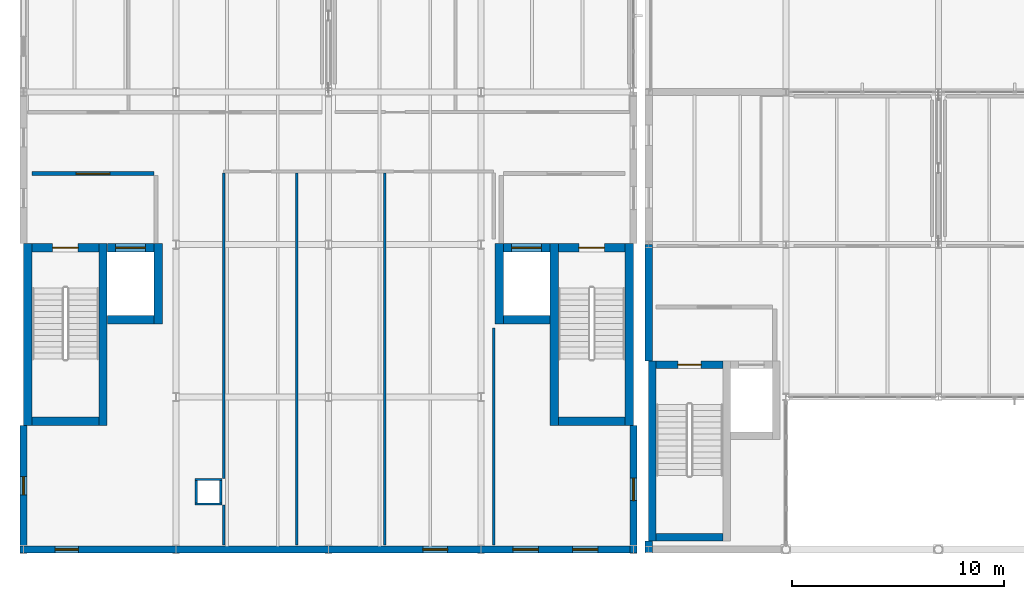
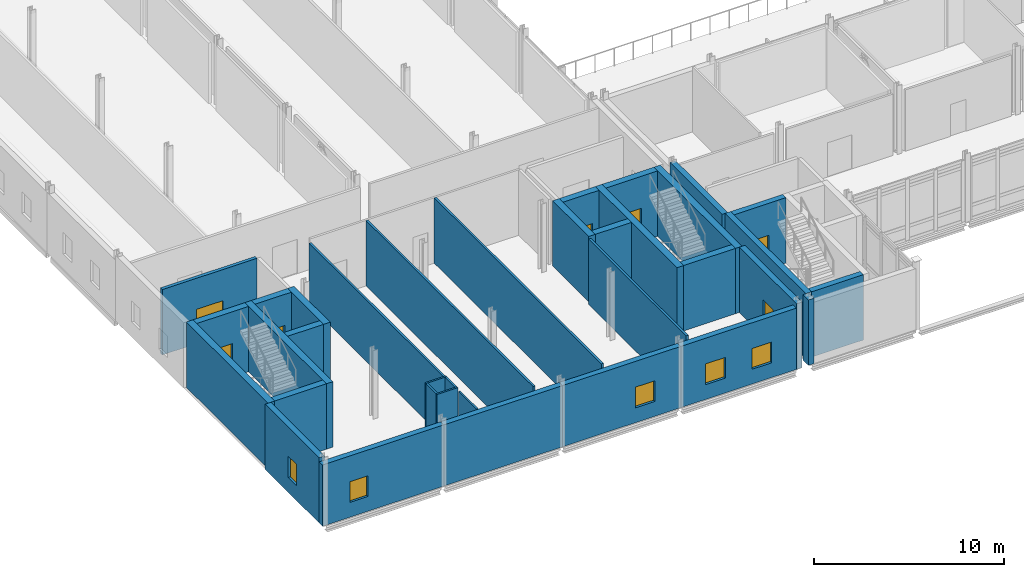
# One storey, part 35 of 53: 35 walls, 6 doors, 6 windows, 12 openings.
"""IFC4 building model written with IfcOpenShell, lengths in metres."""

from ifc_helpers import new_model, si_unit, direction, frame, frame_2d, origin, place, context, subcontext, project, spatial, rectangle, extrude, material, layer, layer_set, type_object, element, fill, save


model = new_model("IFC4")

# Units and contexts
model_context = context("Model", 3, precision=1e-05, world=origin(), true_north=direction((0.0, 1.0)))
body_context = subcontext(model_context, "Body", "Model", "MODEL_VIEW")
ifc_project = project(units=[si_unit("LENGTHUNIT", "METRE"), si_unit("AREAUNIT", "SQUARE_METRE"), si_unit("VOLUMEUNIT", "CUBIC_METRE"), si_unit("PLANEANGLEUNIT", "RADIAN"), si_unit("MASSUNIT", "GRAM", prefix="KILO")], contexts=[model_context])

# Site, building, storey
site_placement = place(None, origin())
site = spatial("IfcSite", under=ifc_project, at=site_placement, CompositionType="ELEMENT")
building_placement = place(site_placement, origin())
building = spatial("IfcBuilding", under=site, at=building_placement, Name="Zarrinpeak Specialist Clinic", CompositionType="ELEMENT")
storey_placement = place(building_placement, frame((0.0, 0.0, 14.0)))
storey = spatial("IfcBuildingStorey", under=building, at=storey_placement, Name="L03", CompositionType="ELEMENT", Elevation=14.0)

# Wall
ifc_material_1 = material(Name="Concrete C40/50", Category="concrete")
ifc_layer_1 = layer(ifc_material_1, 0.35009765625)
ifc_layer_set_1 = layer_set([ifc_layer_1], Name="Concrete C40/50")
wall_type_1 = type_object("IfcWallType", Name="WL-CR350", PredefinedType="SHEAR", material=ifc_layer_set_1)
wall_1_placement = place(storey_placement, frame((29.8701171875, 0.574951171875, 0.0), z_axis=(0.0, 0.0, 1.0), x_axis=(1.0, 0.0, 0.0)))
element("IfcWall", 1, at=wall_1_placement, inside=storey, type_object=wall_type_1, Name="L03 Core C03 Shear Wall STS", PredefinedType="SHEAR", context=body_context, shape_type="SweptSolid", body=[
    extrude(rectangle(XDim=3.14990234375, YDim=0.35009765625, at=frame_2d((1.574951171875, 0.0))), origin(), (0.0, 0.0, 1.0), 4.199951171875),
])

# Wall, opening, door
wall_2_placement = place(storey_placement, frame((29.8701171875, 8.72509765625, 0.0), z_axis=(0.0, 0.0, 1.0), x_axis=(1.0, 0.0, 0.0)))
wall_2 = element("IfcWall", 2, at=wall_2_placement, inside=storey, type_object=wall_type_1, Name="L03 Core C03 Shear Wall STN", PredefinedType="SHEAR", context=body_context, shape_type="SweptSolid", body=[
    extrude(rectangle(XDim=3.14990234375, YDim=0.35009765625, at=frame_2d((1.574951171875, 0.0))), origin(), (0.0, 0.0, 1.0), 4.199951171875),
])
opening_1_placement = place(wall_2_placement, frame((1.02490234375, 0.0, 0.0)))
opening_1 = element("IfcOpeningElement", 3, at=opening_1_placement, cuts=wall_2, Name="Opening D-S02", PredefinedType="OPENING", context=body_context, shape_type="SweptSolid", body=[
    extrude(rectangle(XDim=1.10009765625, YDim=2.14990234375, at=frame_2d((0.550048828125, 1.074951171875))), frame((0.0, 0.18505859375, 0.0), z_axis=(0.0, -1.0, 0.0), x_axis=(1.0, 0.0, 0.0)), (0.0, 0.0, 1.0), 0.3701171875),
])
ifc_material_2 = material(Name="Powder-Coated Galvanised Steel", Category="steel")
door_type_1 = type_object("IfcDoorType", Name="DR-FD110", OperationType="SINGLE_SWING_RIGHT", PredefinedType="DOOR", material=ifc_material_2)
door_1_placement = place(opening_1_placement, frame((1.10009765625, 0.0, 0.0), z_axis=(0.0, 0.0, 1.0), x_axis=(-1.0, 0.0, 0.0)))
door_1 = element("IfcDoor", 4, at=door_1_placement, inside=storey, type_object=door_type_1, Name="L03 Protected Stair ST-03 Fire Door", OperationType="SINGLE_SWING_RIGHT", OverallHeight=2.14990234375, OverallWidth=1.10009765625, PredefinedType="DOOR", context=body_context, shape_type="SweptSolid", body=[
    extrude(rectangle(XDim=1.10009765625, YDim=2.14990234375, at=frame_2d((0.550048828125, 1.074951171875))), frame((0.0, 0.02490234375, 0.0), z_axis=(0.0, -1.0, 0.0), x_axis=(1.0, 0.0, 0.0)), (0.0, 0.0, 1.0), 0.050048828125),
])
fill(opening_1, door_1)

# Walls
wall_3_placement = place(storey_placement, frame((29.695068359375, 0.39990234375, 0.0), z_axis=(0.0, 0.0, 1.0), x_axis=(0.0, 1.0, 0.0)))
element("IfcWall", 5, at=wall_3_placement, inside=storey, type_object=wall_type_1, Name="L03 Core C03 Shear Wall STW", PredefinedType="SHEAR", context=body_context, shape_type="SweptSolid", body=[
    extrude(rectangle(XDim=8.5, YDim=0.35009765625, at=frame_2d((4.25, 0.0))), origin(), (0.0, 0.0, 1.0), 4.199951171875),
])
ifc_layer_2 = layer(ifc_material_1, 0.39990234375)
ifc_layer_set_2 = layer_set([ifc_layer_2], Name="Concrete C40/50")
wall_type_2 = type_object("IfcWallType", Name="WL-CR400", PredefinedType="SHEAR", material=ifc_layer_set_2)
wall_4_placement = place(storey_placement, frame((0.39990234375, 6.050048828125, 0.0), z_axis=(0.0, 0.0, 1.0), x_axis=(1.0, 0.0, 0.0)))
element("IfcWall", 6, at=wall_4_placement, inside=storey, type_object=wall_type_2, Name="L03 Core C01 Shear Wall STS", PredefinedType="SHEAR", context=body_context, shape_type="SweptSolid", body=[
    extrude(rectangle(XDim=3.150146484375, YDim=0.39990234375, at=frame_2d((1.5751953125, 0.0))), origin(), (0.0, 0.0, 1.0), 4.199951171875),
])

# Wall, opening, door
wall_5_placement = place(storey_placement, frame((0.39990234375, 14.25, 0.0), z_axis=(0.0, 0.0, 1.0), x_axis=(1.0, 0.0, 0.0)))
wall_5 = element("IfcWall", 7, at=wall_5_placement, inside=storey, type_object=wall_type_2, Name="L03 Core C01 Shear Wall STN", PredefinedType="SHEAR", context=body_context, shape_type="SweptSolid", body=[
    extrude(rectangle(XDim=3.150146484375, YDim=0.39990234375, at=frame_2d((1.5751953125, 0.0))), origin(), (0.0, 0.0, 1.0), 4.199951171875),
])
opening_2_placement = place(wall_5_placement, frame((0.97509765625, 0.0, 0.0)))
opening_2 = element("IfcOpeningElement", 8, at=opening_2_placement, cuts=wall_5, Name="Opening D-S01", PredefinedType="OPENING", context=body_context, shape_type="SweptSolid", body=[
    extrude(rectangle(XDim=1.199951171875, YDim=2.14990234375, at=frame_2d((0.60009765625, 1.074951171875))), frame((0.0, 0.2099609375, 0.0), z_axis=(0.0, -1.0, 0.0), x_axis=(1.0, 0.0, 0.0)), (0.0, 0.0, 1.0), 0.419921875),
])
door_type_2 = type_object("IfcDoorType", Name="DR-FD120", OperationType="SINGLE_SWING_LEFT", PredefinedType="DOOR", material=ifc_material_2)
door_2_placement = place(opening_2_placement, frame((1.199951171875, 0.0, 0.0), z_axis=(0.0, 0.0, 1.0), x_axis=(-1.0, 0.0, 0.0)))
door_2 = element("IfcDoor", 9, at=door_2_placement, inside=storey, type_object=door_type_2, Name="L03 Protected Stair ST-01 Fire Door", OperationType="SINGLE_SWING_LEFT", OverallHeight=2.14990234375, OverallWidth=1.199951171875, PredefinedType="DOOR", context=body_context, shape_type="SweptSolid", body=[
    extrude(rectangle(XDim=1.199951171875, YDim=2.14990234375, at=frame_2d((0.60009765625, 1.074951171875))), frame((0.0, 0.02490234375, 0.0), z_axis=(0.0, -1.0, 0.0), x_axis=(1.0, 0.0, 0.0)), (0.0, 0.0, 1.0), 0.050048828125),
])
fill(opening_2, door_2)

# Walls
for number, where, z_axis, x_axis, name in (
    (10, (0.199951171875, 5.85009765625, 0.0), (0.0, 0.0, 1.0), (0.0, 1.0, 0.0), "L03 Core C01 Shear Wall STW"),
    (11, (3.75, 5.85009765625, 0.0), (0.0, 0.0, 1.0), (0.0, 1.0, 0.0), "L03 Core C01 Shear Wall STE"),
):
    element("IfcWall", number, at=place(storey_placement, frame(where, z_axis=z_axis, x_axis=x_axis)), inside=storey, type_object=wall_type_2, Name=name, PredefinedType="SHEAR", context=body_context, shape_type="SweptSolid", body=[
        extrude(rectangle(XDim=8.599853515625, YDim=0.39990234375, at=frame_2d((4.2998046875, 0.0))), origin(), (0.0, 0.0, 1.0), 4.199951171875),
    ])
wall_6_placement = place(storey_placement, frame((3.949951171875, 10.85009765625, 0.0), z_axis=(0.0, 0.0, 1.0), x_axis=(1.0, 0.0, 0.0)))
element("IfcWall", 12, at=wall_6_placement, inside=storey, type_object=wall_type_2, Name="L03 Lift LF-FF1 Shaft Wall LFS", PredefinedType="SHEAR", context=body_context, shape_type="SweptSolid", body=[
    extrude(rectangle(XDim=2.199951171875, YDim=0.39990234375, at=frame_2d((1.10009765625, 0.0))), origin(), (0.0, 0.0, 1.0), 4.199951171875),
])

# Wall, opening, door
wall_7_placement = place(storey_placement, frame((3.949951171875, 14.25, 0.0), z_axis=(0.0, 0.0, 1.0), x_axis=(1.0, 0.0, 0.0)))
wall_7 = element("IfcWall", 13, at=wall_7_placement, inside=storey, type_object=wall_type_2, Name="L03 Lift LF-FF1 Shaft Wall LFN", PredefinedType="SHEAR", context=body_context, shape_type="SweptSolid", body=[
    extrude(rectangle(XDim=2.199951171875, YDim=0.39990234375, at=frame_2d((1.10009765625, 0.0))), origin(), (0.0, 0.0, 1.0), 4.199951171875),
])
opening_3_placement = place(wall_7_placement, frame((0.39990234375, 0.0, 0.0)))
opening_3 = element("IfcOpeningElement", 14, at=opening_3_placement, cuts=wall_7, Name="Opening LD-01", PredefinedType="OPENING", context=body_context, shape_type="SweptSolid", body=[
    extrude(rectangle(XDim=1.39990234375, YDim=2.199951171875, at=frame_2d((0.699951171875, 1.10009765625))), frame((0.0, 0.2099609375, 0.0), z_axis=(0.0, -1.0, 0.0), x_axis=(1.0, 0.0, 0.0)), (0.0, 0.0, 1.0), 0.419921875),
])
door_type_3 = type_object("IfcDoorType", Name="DR-LD140", OperationType="SLIDING_TO_LEFT", PredefinedType="DOOR", material=ifc_material_2)
door_3_placement = place(opening_3_placement, origin())
door_3 = element("IfcDoor", 15, at=door_3_placement, inside=storey, type_object=door_type_3, Name="L03 Lift LF-FF1 Sliding Landing Door", OperationType="SLIDING_TO_LEFT", OverallHeight=2.199951171875, OverallWidth=1.39990234375, PredefinedType="DOOR", context=body_context, shape_type="SweptSolid", body=[
    extrude(rectangle(XDim=1.39990234375, YDim=2.199951171875, at=frame_2d((0.699951171875, 1.10009765625))), frame((0.0, 0.02490234375, 0.0), z_axis=(0.0, -1.0, 0.0), x_axis=(1.0, 0.0, 0.0)), (0.0, 0.0, 1.0), 0.050048828125),
])
fill(opening_3, door_3)

# Walls
wall_8_placement = place(storey_placement, frame((6.35009765625, 10.64990234375, 0.0), z_axis=(0.0, 0.0, 1.0), x_axis=(0.0, 1.0, 0.0)))
element("IfcWall", 16, at=wall_8_placement, inside=storey, type_object=wall_type_2, Name="L03 Lift LF-FF1 Shaft Wall LFE", PredefinedType="SHEAR", context=body_context, shape_type="SweptSolid", body=[
    extrude(rectangle(XDim=3.800048828125, YDim=0.39990234375, at=frame_2d((1.89990234375, 0.0))), origin(), (0.0, 0.0, 1.0), 4.199951171875),
])
wall_9_placement = place(storey_placement, frame((25.25, 6.050048828125, 0.0), z_axis=(0.0, 0.0, 1.0), x_axis=(1.0, 0.0, 0.0)))
element("IfcWall", 17, at=wall_9_placement, inside=storey, type_object=wall_type_2, Name="L03 Core C02 Shear Wall STS", PredefinedType="SHEAR", context=body_context, shape_type="SweptSolid", body=[
    extrude(rectangle(XDim=3.14990234375, YDim=0.39990234375, at=frame_2d((1.574951171875, 0.0))), origin(), (0.0, 0.0, 1.0), 4.199951171875),
])

# Wall, opening, door
wall_10_placement = place(storey_placement, frame((25.25, 14.25, 0.0), z_axis=(0.0, 0.0, 1.0), x_axis=(1.0, 0.0, 0.0)))
wall_10 = element("IfcWall", 18, at=wall_10_placement, inside=storey, type_object=wall_type_2, Name="L03 Core C02 Shear Wall STN", PredefinedType="SHEAR", context=body_context, shape_type="SweptSolid", body=[
    extrude(rectangle(XDim=3.14990234375, YDim=0.39990234375, at=frame_2d((1.574951171875, 0.0))), origin(), (0.0, 0.0, 1.0), 4.199951171875),
])
opening_4_placement = place(wall_10_placement, frame((0.97509765625, 0.0, 0.0)))
opening_4 = element("IfcOpeningElement", 19, at=opening_4_placement, cuts=wall_10, Name="Opening D-S01", PredefinedType="OPENING", context=body_context, shape_type="SweptSolid", body=[
    extrude(rectangle(XDim=1.199951171875, YDim=2.14990234375, at=frame_2d((0.60009765625, 1.074951171875))), frame((0.0, 0.2099609375, 0.0), z_axis=(0.0, -1.0, 0.0), x_axis=(1.0, 0.0, 0.0)), (0.0, 0.0, 1.0), 0.419921875),
])
door_4_placement = place(opening_4_placement, frame((1.199951171875, 0.0, 0.0), z_axis=(0.0, 0.0, 1.0), x_axis=(-1.0, 0.0, 0.0)))
door_4 = element("IfcDoor", 20, at=door_4_placement, inside=storey, type_object=door_type_2, Name="L03 Protected Stair ST-02 Fire Door", OperationType="SINGLE_SWING_LEFT", OverallHeight=2.14990234375, OverallWidth=1.199951171875, PredefinedType="DOOR", context=body_context, shape_type="SweptSolid", body=[
    extrude(rectangle(XDim=1.199951171875, YDim=2.14990234375, at=frame_2d((0.60009765625, 1.074951171875))), frame((0.0, 0.02490234375, 0.0), z_axis=(0.0, -1.0, 0.0), x_axis=(1.0, 0.0, 0.0)), (0.0, 0.0, 1.0), 0.050048828125),
])
fill(opening_4, door_4)

# Walls
for number, where, z_axis, x_axis, name in (
    (21, (25.050048828125, 5.85009765625, 0.0), (0.0, 0.0, 1.0), (0.0, 1.0, 0.0), "L03 Core C02 Shear Wall STW"),
    (22, (28.60009765625, 5.85009765625, 0.0), (0.0, 0.0, 1.0), (0.0, 1.0, 0.0), "L03 Core C02 Shear Wall STE"),
):
    element("IfcWall", number, at=place(storey_placement, frame(where, z_axis=z_axis, x_axis=x_axis)), inside=storey, type_object=wall_type_2, Name=name, PredefinedType="SHEAR", context=body_context, shape_type="SweptSolid", body=[
        extrude(rectangle(XDim=8.599853515625, YDim=0.39990234375, at=frame_2d((4.2998046875, 0.0))), origin(), (0.0, 0.0, 1.0), 4.199951171875),
    ])
wall_11_placement = place(storey_placement, frame((22.64990234375, 10.85009765625, 0.0), z_axis=(0.0, 0.0, 1.0), x_axis=(1.0, 0.0, 0.0)))
element("IfcWall", 23, at=wall_11_placement, inside=storey, type_object=wall_type_2, Name="L03 Lift LF-FF2 Shaft Wall LFS", PredefinedType="SHEAR", context=body_context, shape_type="SweptSolid", body=[
    extrude(rectangle(XDim=2.2001953125, YDim=0.39990234375, at=frame_2d((1.10009765625, 0.0))), origin(), (0.0, 0.0, 1.0), 4.199951171875),
])

# Wall, opening, door
wall_12_placement = place(storey_placement, frame((22.64990234375, 14.25, 0.0), z_axis=(0.0, 0.0, 1.0), x_axis=(1.0, 0.0, 0.0)))
wall_12 = element("IfcWall", 24, at=wall_12_placement, inside=storey, type_object=wall_type_2, Name="L03 Lift LF-FF2 Shaft Wall LFN", PredefinedType="SHEAR", context=body_context, shape_type="SweptSolid", body=[
    extrude(rectangle(XDim=2.2001953125, YDim=0.39990234375, at=frame_2d((1.10009765625, 0.0))), origin(), (0.0, 0.0, 1.0), 4.199951171875),
])
opening_5_placement = place(wall_12_placement, frame((0.39990234375, 0.0, 0.0)))
opening_5 = element("IfcOpeningElement", 25, at=opening_5_placement, cuts=wall_12, Name="Opening LD-01", PredefinedType="OPENING", context=body_context, shape_type="SweptSolid", body=[
    extrude(rectangle(XDim=1.39990234375, YDim=2.199951171875, at=frame_2d((0.699951171875, 1.10009765625))), frame((0.0, 0.2099609375, 0.0), z_axis=(0.0, -1.0, 0.0), x_axis=(1.0, 0.0, 0.0)), (0.0, 0.0, 1.0), 0.419921875),
])
door_5_placement = place(opening_5_placement, origin())
door_5 = element("IfcDoor", 26, at=door_5_placement, inside=storey, type_object=door_type_3, Name="L03 Lift LF-FF2 Sliding Landing Door", OperationType="SLIDING_TO_LEFT", OverallHeight=2.199951171875, OverallWidth=1.39990234375, PredefinedType="DOOR", context=body_context, shape_type="SweptSolid", body=[
    extrude(rectangle(XDim=1.39990234375, YDim=2.199951171875, at=frame_2d((0.699951171875, 1.10009765625))), frame((0.0, 0.02490234375, 0.0), z_axis=(0.0, -1.0, 0.0), x_axis=(1.0, 0.0, 0.0)), (0.0, 0.0, 1.0), 0.050048828125),
])
fill(opening_5, door_5)

# Wall
wall_13_placement = place(storey_placement, frame((22.449951171875, 10.64990234375, 0.0), z_axis=(0.0, 0.0, 1.0), x_axis=(0.0, 1.0, 0.0)))
element("IfcWall", 27, at=wall_13_placement, inside=storey, type_object=wall_type_2, Name="L03 Lift LF-FF2 Shaft Wall LFW", PredefinedType="SHEAR", context=body_context, shape_type="SweptSolid", body=[
    extrude(rectangle(XDim=3.800048828125, YDim=0.39990234375, at=frame_2d((1.89990234375, 0.0))), origin(), (0.0, 0.0, 1.0), 4.199951171875),
])

# Wall, opening, window
ifc_material_3 = material(Name="Precast concrete C40/50", Category="concrete")
ifc_layer_3 = layer(ifc_material_3, 0.340087890625)
ifc_layer_set_3 = layer_set([ifc_layer_3], Name="Precast concrete C40/50")
wall_type_3 = type_object("IfcWallType", Name="WL-EW340", PredefinedType="STANDARD", material=ifc_layer_set_3)
wall_14_placement = place(storey_placement, frame((-0.169921875, 0.0, 0.0), z_axis=(0.0, 0.0, 1.0), x_axis=(1.0, 0.0, 0.0)))
wall_14 = element("IfcWall", 28, at=wall_14_placement, inside=storey, type_object=wall_type_3, Name="L03 V1 Exterior GRC Wall EW-L03-V1-0043", PredefinedType="STANDARD", context=body_context, shape_type="SweptSolid", body=[
    extrude(rectangle(XDim=7.369873046875, YDim=0.340087890625, at=frame_2d((3.68505859375, 0.0))), origin(), (0.0, 0.0, 1.0), 3.93505859375),
])
opening_6_placement = place(wall_14_placement, frame((1.662109375, 0.0, 0.949951171875)))
opening_6 = element("IfcOpeningElement", 29, at=opening_6_placement, cuts=wall_14, Name="Opening WS-34", PredefinedType="OPENING", context=body_context, shape_type="SweptSolid", body=[
    extrude(rectangle(XDim=1.097900390625, YDim=1.33203125, at=frame_2d((0.548828125, 0.666015625))), frame((0.0, 0.18017578125, 0.0), z_axis=(0.0, -1.0, 0.0), x_axis=(1.0, 0.0, 0.0)), (0.0, 0.0, 1.0), 0.360107421875),
])
ifc_material_4 = material(Name="Thermally Broken Aluminium and Low-E Glazing", Category="aluminium")
window_type_1 = type_object("IfcWindowType", Name="WN-SP34", PartitioningType="SINGLE_PANEL", PredefinedType="WINDOW", material=ifc_material_4)
window_1_placement = place(opening_6_placement, origin())
window_1 = element("IfcWindow", 30, at=window_1_placement, inside=storey, type_object=window_type_1, Name="L03 Modular Facade Window WN-L03-0065", OverallHeight=1.33203125, OverallWidth=1.097900390625, PartitioningType="SINGLE_PANEL", PredefinedType="WINDOW", context=body_context, shape_type="SweptSolid", body=[
    extrude(rectangle(XDim=1.097900390625, YDim=1.33203125, at=frame_2d((0.548828125, 0.666015625))), frame((0.0, 0.030029296875, 0.0), z_axis=(0.0, -1.0, 0.0), x_axis=(1.0, 0.0, 0.0)), (0.0, 0.0, 1.0), 0.06005859375),
])
fill(opening_6, window_1)

# Wall
wall_15_placement = place(storey_placement, frame((7.199951171875, 0.0, 0.0), z_axis=(0.0, 0.0, 1.0), x_axis=(1.0, 0.0, 0.0)))
element("IfcWall", 31, at=wall_15_placement, inside=storey, type_object=wall_type_3, Name="L03 V1 Exterior GRC Wall EW-L03-V1-0044", PredefinedType="STANDARD", context=body_context, shape_type="SweptSolid", body=[
    extrude(rectangle(XDim=7.199951171875, YDim=0.340087890625, at=frame_2d((3.60009765625, 0.0))), origin(), (0.0, 0.0, 1.0), 3.93505859375),
])

# Wall, opening, window
wall_16_placement = place(storey_placement, frame((14.39990234375, 0.0, 0.0), z_axis=(0.0, 0.0, 1.0), x_axis=(1.0, 0.0, 0.0)))
wall_16 = element("IfcWall", 32, at=wall_16_placement, inside=storey, type_object=wall_type_3, Name="L03 V1 Exterior GRC Wall EW-L03-V1-0045", PredefinedType="STANDARD", context=body_context, shape_type="SweptSolid", body=[
    extrude(rectangle(XDim=7.2001953125, YDim=0.340087890625, at=frame_2d((3.60009765625, 0.0))), origin(), (0.0, 0.0, 1.0), 3.93505859375),
])
opening_7_placement = place(wall_16_placement, frame((4.45703125, 0.0, 0.949951171875)))
opening_7 = element("IfcOpeningElement", 33, at=opening_7_placement, cuts=wall_16, Name="Opening WS-36", PredefinedType="OPENING", context=body_context, shape_type="SweptSolid", body=[
    extrude(rectangle(XDim=1.166015625, YDim=1.33203125, at=frame_2d((0.5830078125, 0.666015625))), frame((0.0, 0.18017578125, 0.0), z_axis=(0.0, -1.0, 0.0), x_axis=(1.0, 0.0, 0.0)), (0.0, 0.0, 1.0), 0.360107421875),
])
window_type_2 = type_object("IfcWindowType", Name="WN-SP36", PartitioningType="SINGLE_PANEL", PredefinedType="WINDOW", material=ifc_material_4)
window_2_placement = place(opening_7_placement, origin())
window_2 = element("IfcWindow", 34, at=window_2_placement, inside=storey, type_object=window_type_2, Name="L03 Modular Facade Window WN-L03-0066", OverallHeight=1.33203125, OverallWidth=1.166015625, PartitioningType="SINGLE_PANEL", PredefinedType="WINDOW", context=body_context, shape_type="SweptSolid", body=[
    extrude(rectangle(XDim=1.166015625, YDim=1.33203125, at=frame_2d((0.5830078125, 0.666015625))), frame((0.0, 0.030029296875, 0.0), z_axis=(0.0, -1.0, 0.0), x_axis=(1.0, 0.0, 0.0)), (0.0, 0.0, 1.0), 0.06005859375),
])
fill(opening_7, window_2)

# Wall, openings, windows
wall_17_placement = place(storey_placement, frame((21.60009765625, 0.0, 0.0), z_axis=(0.0, 0.0, 1.0), x_axis=(1.0, 0.0, 0.0)))
wall_17 = element("IfcWall", 35, at=wall_17_placement, inside=storey, type_object=wall_type_3, Name="L03 V1 Exterior GRC Wall EW-L03-V1-0046", PredefinedType="STANDARD", context=body_context, shape_type="SweptSolid", body=[
    extrude(rectangle(XDim=7.02978515625, YDim=0.340087890625, at=frame_2d((3.514892578125, 0.0))), origin(), (0.0, 0.0, 1.0), 3.93505859375),
])
opening_8_placement = place(wall_17_placement, frame((1.509033203125, 0.0, 0.949951171875)))
opening_8 = element("IfcOpeningElement", 36, at=opening_8_placement, cuts=wall_17, Name="Opening WS-37", PredefinedType="OPENING", context=body_context, shape_type="SweptSolid", body=[
    extrude(rectangle(XDim=1.199951171875, YDim=1.33203125, at=frame_2d((0.60009765625, 0.666015625))), frame((0.0, 0.18017578125, 0.0), z_axis=(0.0, -1.0, 0.0), x_axis=(1.0, 0.0, 0.0)), (0.0, 0.0, 1.0), 0.360107421875),
])
opening_9_placement = place(wall_17_placement, frame((4.321044921875, 0.0, 0.949951171875)))
opening_9 = element("IfcOpeningElement", 37, at=opening_9_placement, cuts=wall_17, Name="Opening WS-37", PredefinedType="OPENING", context=body_context, shape_type="SweptSolid", body=[
    extrude(rectangle(XDim=1.199951171875, YDim=1.33203125, at=frame_2d((0.60009765625, 0.666015625))), frame((0.0, 0.18017578125, 0.0), z_axis=(0.0, -1.0, 0.0), x_axis=(1.0, 0.0, 0.0)), (0.0, 0.0, 1.0), 0.360107421875),
])
window_type_3 = type_object("IfcWindowType", Name="WN-SP37", PartitioningType="SINGLE_PANEL", PredefinedType="WINDOW", material=ifc_material_4)
window_3_placement = place(opening_8_placement, origin())
window_3 = element("IfcWindow", 38, at=window_3_placement, inside=storey, type_object=window_type_3, Name="L03 Modular Facade Window WN-L03-0067", OverallHeight=1.33203125, OverallWidth=1.199951171875, PartitioningType="SINGLE_PANEL", PredefinedType="WINDOW", context=body_context, shape_type="SweptSolid", body=[
    extrude(rectangle(XDim=1.199951171875, YDim=1.33203125, at=frame_2d((0.60009765625, 0.666015625))), frame((0.0, 0.030029296875, 0.0), z_axis=(0.0, -1.0, 0.0), x_axis=(1.0, 0.0, 0.0)), (0.0, 0.0, 1.0), 0.06005859375),
])
fill(opening_8, window_3)
window_4_placement = place(opening_9_placement, origin())
window_4 = element("IfcWindow", 39, at=window_4_placement, inside=storey, type_object=window_type_3, Name="L03 Modular Facade Window WN-L03-0068", OverallHeight=1.33203125, OverallWidth=1.199951171875, PartitioningType="SINGLE_PANEL", PredefinedType="WINDOW", context=body_context, shape_type="SweptSolid", body=[
    extrude(rectangle(XDim=1.199951171875, YDim=1.33203125, at=frame_2d((0.60009765625, 0.666015625))), frame((0.0, 0.030029296875, 0.0), z_axis=(0.0, -1.0, 0.0), x_axis=(1.0, 0.0, 0.0)), (0.0, 0.0, 1.0), 0.06005859375),
])
fill(opening_9, window_4)

# Wall, opening, window
wall_18_placement = place(storey_placement, frame((0.0, 5.85009765625, 0.0), z_axis=(0.0, 0.0, 1.0), x_axis=(0.0, -1.0, 0.0)))
wall_18 = element("IfcWall", 40, at=wall_18_placement, inside=storey, type_object=wall_type_3, Name="L03 V1 Exterior GRC Wall EW-L03-V1-0049", PredefinedType="STANDARD", context=body_context, shape_type="SweptSolid", body=[
    extrude(rectangle(XDim=5.68017578125, YDim=0.340087890625, at=frame_2d((2.840087890625, 0.0))), origin(), (0.0, 0.0, 1.0), 4.199951171875),
])
opening_10_placement = place(wall_18_placement, frame((2.409912109375, 0.0, 0.949951171875)))
opening_10 = element("IfcOpeningElement", 41, at=opening_10_placement, cuts=wall_18, Name="Opening WS-40", PredefinedType="OPENING", context=body_context, shape_type="SweptSolid", body=[
    extrude(rectangle(XDim=0.860107421875, YDim=1.367919921875, at=frame_2d((0.43017578125, 0.68408203125))), frame((0.0, 0.18017578125, 0.0), z_axis=(0.0, -1.0, 0.0), x_axis=(1.0, 0.0, 0.0)), (0.0, 0.0, 1.0), 0.360107421875),
])
window_type_4 = type_object("IfcWindowType", Name="WN-SP40", PartitioningType="SINGLE_PANEL", PredefinedType="WINDOW", material=ifc_material_4)
window_5_placement = place(opening_10_placement, origin())
window_5 = element("IfcWindow", 42, at=window_5_placement, inside=storey, type_object=window_type_4, Name="L03 Modular Facade Window WN-L03-0072", OverallHeight=1.367919921875, OverallWidth=0.860107421875, PartitioningType="SINGLE_PANEL", PredefinedType="WINDOW", context=body_context, shape_type="SweptSolid", body=[
    extrude(rectangle(XDim=0.860107421875, YDim=1.367919921875, at=frame_2d((0.43017578125, 0.68408203125))), frame((0.0, 0.030029296875, 0.0), z_axis=(0.0, -1.0, 0.0), x_axis=(1.0, 0.0, 0.0)), (0.0, 0.0, 1.0), 0.06005859375),
])
fill(opening_10, window_5)

wall_19_placement = place(storey_placement, frame((28.800048828125, -0.169921875, 0.0), z_axis=(0.0, 0.0, 1.0), x_axis=(0.0, 1.0, 0.0)))
wall_19 = element("IfcWall", 43, at=wall_19_placement, inside=storey, type_object=wall_type_3, Name="L03 V1 Exterior GRC Wall EW-L03-V1-0055", PredefinedType="STANDARD", context=body_context, shape_type="SweptSolid", body=[
    extrude(rectangle(XDim=6.02001953125, YDim=0.340087890625, at=frame_2d((3.010009765625, 0.0))), origin(), (0.0, 0.0, 1.0), 4.199951171875),
])
opening_11_placement = place(wall_19_placement, frame((2.47802734375, 0.0, 0.949951171875)))
opening_11 = element("IfcOpeningElement", 44, at=opening_11_placement, cuts=wall_19, Name="Opening WS-46", PredefinedType="OPENING", context=body_context, shape_type="SweptSolid", body=[
    extrude(rectangle(XDim=1.06396484375, YDim=1.367919921875, at=frame_2d((0.531982421875, 0.68408203125))), frame((0.0, 0.18017578125, 0.0), z_axis=(0.0, -1.0, 0.0), x_axis=(1.0, 0.0, 0.0)), (0.0, 0.0, 1.0), 0.360107421875),
])
window_type_5 = type_object("IfcWindowType", Name="WN-SP46", PartitioningType="SINGLE_PANEL", PredefinedType="WINDOW", material=ifc_material_4)
window_6_placement = place(opening_11_placement, origin())
window_6 = element("IfcWindow", 45, at=window_6_placement, inside=storey, type_object=window_type_5, Name="L03 Modular Facade Window WN-L03-0083", OverallHeight=1.367919921875, OverallWidth=1.06396484375, PartitioningType="SINGLE_PANEL", PredefinedType="WINDOW", context=body_context, shape_type="SweptSolid", body=[
    extrude(rectangle(XDim=1.06396484375, YDim=1.367919921875, at=frame_2d((0.531982421875, 0.68408203125))), frame((0.0, 0.030029296875, 0.0), z_axis=(0.0, -1.0, 0.0), x_axis=(1.0, 0.0, 0.0)), (0.0, 0.0, 1.0), 0.06005859375),
])
fill(opening_11, window_6)

# Walls
wall_20_placement = place(storey_placement, frame((29.52001953125, 0.39990234375, 0.0), z_axis=(0.0, 0.0, 1.0), x_axis=(0.0, -1.0, 0.0)))
element("IfcWall", 46, at=wall_20_placement, inside=storey, type_object=wall_type_3, Name="L03 V2 Exterior GRC Wall EW-L03-V2-0137", PredefinedType="STANDARD", context=body_context, shape_type="SweptSolid", body=[
    extrude(rectangle(XDim=0.56982421875, YDim=0.340087890625, at=frame_2d((0.284912109375, 0.0))), origin(), (0.0, 0.0, 1.0), 4.199951171875),
])
wall_21_placement = place(storey_placement, frame((29.52001953125, 14.39990234375, 0.0), z_axis=(0.0, 0.0, 1.0), x_axis=(0.0, -1.0, 0.0)))
element("IfcWall", 47, at=wall_21_placement, inside=storey, type_object=wall_type_3, Name="L03 V2 Exterior GRC Wall EW-L03-V2-0138", PredefinedType="STANDARD", context=body_context, shape_type="SweptSolid", body=[
    extrude(rectangle(XDim=5.5, YDim=0.340087890625, at=frame_2d((2.75, 0.0))), origin(), (0.0, 0.0, 1.0), 4.199951171875),
])
ifc_material_5 = material(Name="Sanitary Service Chase Plumbing Wall", Category="gypsum")
ifc_layer_4 = layer(ifc_material_5, 0.110107421875)
ifc_layer_set_4 = layer_set([ifc_layer_4], Name="Sanitary Service Chase Plumbing Wall")
wall_type_4 = type_object("IfcWallType", Name="WL-IW110", PredefinedType="PARTITIONING", material=ifc_layer_set_4)
for number, where, z_axis, x_axis, name in (
    (48, (8.090087890625, 2.14501953125, 0.0), (0.0, 0.0, 1.0), (1.0, 0.0, 0.0), "L03 V1 Enclosed MEP Service Riser Wall S"),
    (49, (8.090087890625, 3.304931640625, 0.0), (0.0, 0.0, 1.0), (1.0, 0.0, 0.0), "L03 V1 Enclosed MEP Service Riser Wall N"),
):
    element("IfcWall", number, at=place(storey_placement, frame(where, z_axis=z_axis, x_axis=x_axis)), inside=storey, type_object=wall_type_4, Name=name, PredefinedType="PARTITIONING", context=body_context, shape_type="SweptSolid", body=[
        extrude(rectangle(XDim=1.27001953125, YDim=0.110107421875, at=frame_2d((0.635009765625, 0.0))), origin(), (0.0, 0.0, 1.0), 4.199951171875),
    ])
for number, where, z_axis, x_axis, name in (
    (50, (8.14501953125, 2.199951171875, 0.0), (0.0, 0.0, 1.0), (0.0, 1.0, 0.0), "L03 V1 Enclosed MEP Service Riser Wall W"),
    (51, (9.304931640625, 2.199951171875, 0.0), (0.0, 0.0, 1.0), (0.0, 1.0, 0.0), "L03 V1 Enclosed MEP Service Riser Wall E"),
):
    element("IfcWall", number, at=place(storey_placement, frame(where, z_axis=z_axis, x_axis=x_axis)), inside=storey, type_object=wall_type_4, Name=name, PredefinedType="PARTITIONING", context=body_context, shape_type="SweptSolid", body=[
        extrude(rectangle(XDim=1.050048828125, YDim=0.110107421875, at=frame_2d((0.52490234375, 0.0))), origin(), (0.0, 0.0, 1.0), 4.199951171875),
    ])
wall_22_placement = place(storey_placement, frame((9.449951171875, 0.199951171875, 0.0), z_axis=(0.0, 0.0, 1.0), x_axis=(0.0, 1.0, 0.0)))
element("IfcWall", 52, at=wall_22_placement, inside=storey, type_object=wall_type_4, Name="L03 Accessible Patient WC Dividing Partition", PredefinedType="PARTITIONING", context=body_context, shape_type="SweptSolid", body=[
    extrude(rectangle(XDim=1.89013671875, YDim=0.110107421875, at=frame_2d((0.945068359375, 0.0))), origin(), (0.0, 0.0, 1.0), 3.945068359375),
])
ifc_material_6 = material(Name="Moisture-Resistant Wet-Room Partition", Category="gypsum")
ifc_layer_5 = layer(ifc_material_6, 0.125)
ifc_layer_set_5 = layer_set([ifc_layer_5], Name="Moisture-Resistant Wet-Room Partition")
wall_type_5 = type_object("IfcWallType", Name="WL-IW125W", PredefinedType="PARTITIONING", material=ifc_layer_set_5)
wall_23_placement = place(storey_placement, frame((9.449951171875, 3.360107421875, 0.0), z_axis=(0.0, 0.0, 1.0), x_axis=(0.0, 1.0, 0.0)))
element("IfcWall", 53, at=wall_23_placement, inside=storey, type_object=wall_type_5, Name="L03 Accessible Patient WC Dividing Partition", PredefinedType="PARTITIONING", context=body_context, shape_type="SweptSolid", body=[
    extrude(rectangle(XDim=14.427490234375, YDim=0.125, at=frame_2d((7.2138671875, 0.0))), origin(), (0.0, 0.0, 1.0), 3.945068359375),
])
for number, where, z_axis, x_axis, name in (
    (54, (12.89990234375, 0.199951171875, 0.0), (0.0, 0.0, 1.0), (0.0, 1.0, 0.0), "L03 Accessible Patient WC Dividing Partition"),
    (55, (17.050048828125, 0.199951171875, 0.0), (0.0, 0.0, 1.0), (0.0, 1.0, 0.0), "L03 Clinical Staff WC Dividing Partition"),
):
    element("IfcWall", number, at=place(storey_placement, frame(where, z_axis=z_axis, x_axis=x_axis)), inside=storey, type_object=wall_type_5, Name=name, PredefinedType="PARTITIONING", context=body_context, shape_type="SweptSolid", body=[
        extrude(rectangle(XDim=17.587646484375, YDim=0.125, at=frame_2d((8.7939453125, 0.0))), origin(), (0.0, 0.0, 1.0), 4.199951171875),
    ])
ifc_material_7 = material(Name="Standard Drywall Partition", Category="gypsum")
ifc_layer_6 = layer(ifc_material_7, 0.135009765625)
ifc_layer_set_6 = layer_set([ifc_layer_6], Name="Standard Drywall Partition")
wall_type_6 = type_object("IfcWallType", Name="WL-IW135", PredefinedType="PARTITIONING", material=ifc_layer_set_6)
wall_24_placement = place(storey_placement, frame((22.199951171875, 0.199951171875, 0.0), z_axis=(0.0, 0.0, 1.0), x_axis=(0.0, 1.0, 0.0)))
element("IfcWall", 56, at=wall_24_placement, inside=storey, type_object=wall_type_6, Name="L03 Prosthetics Fitting Workshop Dividing Partition", PredefinedType="PARTITIONING", context=body_context, shape_type="SweptSolid", body=[
    extrude(rectangle(XDim=10.25, YDim=0.135009765625, at=frame_2d((5.125, 0.0))), origin(), (0.0, 0.0, 1.0), 4.199951171875),
])

# Wall, opening, door
ifc_material_8 = material(Name="Autoclaved Aerated Concrete Blockwork", Category="masonry")
ifc_layer_7 = layer(ifc_material_8, 0.199951171875)
ifc_layer_set_7 = layer_set([ifc_layer_7], Name="Autoclaved Aerated Concrete Blockwork")
wall_type_7 = type_object("IfcWallType", Name="WL-IW200", PredefinedType="PARTITIONING", material=ifc_layer_set_7)
wall_25_placement = place(storey_placement, frame((0.39990234375, 17.75, 0.0), z_axis=(0.0, 0.0, 1.0), x_axis=(1.0, 0.0, 0.0)))
wall_25 = element("IfcWall", 57, at=wall_25_placement, inside=storey, type_object=wall_type_7, Name="L03 C01 Protected Lobby Partition LBF", PredefinedType="PARTITIONING", context=body_context, shape_type="SweptSolid", body=[
    extrude(rectangle(XDim=5.75, YDim=0.199951171875, at=frame_2d((2.875, 0.0))), origin(), (0.0, 0.0, 1.0), 4.199951171875),
])
opening_12_placement = place(wall_25_placement, frame((2.074951171875, 0.0, 0.0)))
opening_12 = element("IfcOpeningElement", 58, at=opening_12_placement, cuts=wall_25, Name="Opening D-L01", PredefinedType="OPENING", context=body_context, shape_type="SweptSolid", body=[
    extrude(rectangle(XDim=1.60009765625, YDim=2.199951171875, at=frame_2d((0.800048828125, 1.10009765625))), frame((0.0, 0.10986328125, 0.0), z_axis=(0.0, -1.0, 0.0), x_axis=(1.0, 0.0, 0.0)), (0.0, 0.0, 1.0), 0.219970703125),
])
door_type_4 = type_object("IfcDoorType", Name="DR-LB160", OperationType="DOUBLE_DOOR_SINGLE_SWING", PredefinedType="DOOR", material=ifc_material_2)
door_6_placement = place(opening_12_placement, origin())
door_6 = element("IfcDoor", 59, at=door_6_placement, inside=storey, type_object=door_type_4, Name="L03 C01 Lobby Hold-Open Fire Door", OperationType="DOUBLE_DOOR_SINGLE_SWING", OverallHeight=2.199951171875, OverallWidth=1.60009765625, PredefinedType="DOOR", context=body_context, shape_type="SweptSolid", body=[
    extrude(rectangle(XDim=1.60009765625, YDim=2.199951171875, at=frame_2d((0.800048828125, 1.10009765625))), frame((0.0, 0.02490234375, 0.0), z_axis=(0.0, -1.0, 0.0), x_axis=(1.0, 0.0, 0.0)), (0.0, 0.0, 1.0), 0.050048828125),
])
fill(opening_12, door_6)

save(model, "model.ifc")
